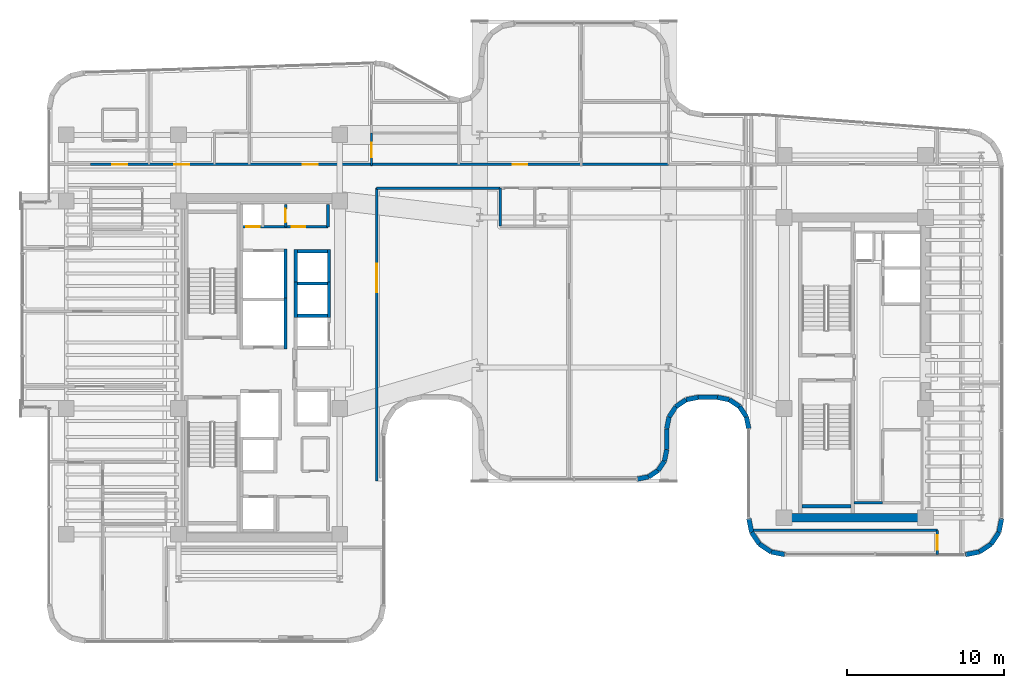
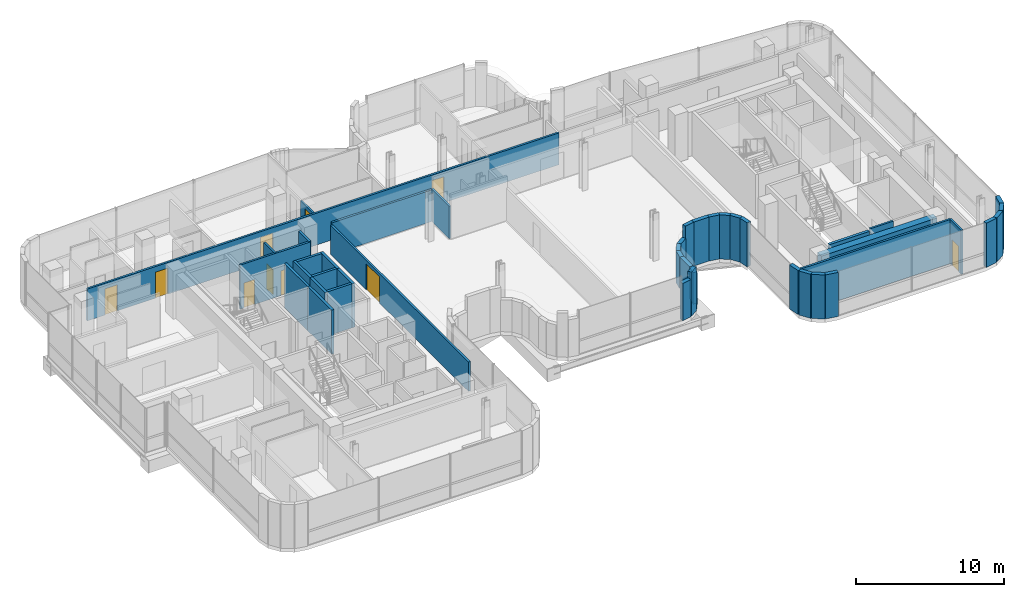
# One storey, part 28 of 38: 44 walls, 10 doors, 10 openings.
"""IFC4 building model written with IfcOpenShell, lengths in metres."""

import ifcopenshell
import ifcopenshell.guid

model = None  # the IFC model being written
_history = None  # IfcOwnerHistory: only IFC2X3 demands one
_inside = {}  # id of a spatial element -> (the spatial element, [elements in it])
_under = {}  # id of a project, library or spatial element -> (it, [spatial elements below it])
_declared = {}  # id of a project -> (the project, [libraries it declares])
_typed = {}  # id of a type object -> (the type object, [elements of that type])
_made_of = {}  # id of a material, layer set ... -> (it, [elements and type objects made of it])


def new_model(schema):
    """Start an empty IFC model of exactly this schema.

    Asked for "IFC4X3", IfcOpenShell would pick the latest addendum, in which some entities
    have other attributes; the version numbers below select the first issue.
    IFC2X3 requires an IfcOwnerHistory on every rooted entity: one is made here for all.
    """
    global model, _history
    if schema == "IFC4X3":
        model = ifcopenshell.file(schema_version=(4, 3, 0, 0))
    else:
        model = ifcopenshell.file(schema=schema)
    _inside.clear()
    _under.clear()
    _declared.clear()
    _typed.clear()
    _made_of.clear()
    _history = None
    if model.schema == "IFC2X3":
        org = make("IfcOrganization", Name="unknown")
        user = make(
            "IfcPersonAndOrganization",
            ThePerson=make("IfcPerson", FamilyName="unknown"),
            TheOrganization=org,
        )
        app = make(
            "IfcApplication",
            ApplicationDeveloper=org,
            Version="unknown",
            ApplicationFullName="unknown",
            ApplicationIdentifier="unknown",
        )
        _history = make(
            "IfcOwnerHistory",
            OwningUser=user,
            OwningApplication=app,
            ChangeAction="ADDED",
            CreationDate=0,
        )
    return model


def make(cls, **values):
    """One entity of the class cls with the attributes given. An attribute that is None is left unset."""
    return model.create_entity(
        cls, **{name: value for name, value in values.items() if value is not None}
    )


def rooted(cls, **values):
    """An entity with a GlobalId (a new one), such as an element, a storey or a relation."""
    return make(cls, GlobalId=ifcopenshell.guid.new(), OwnerHistory=_history, **values)


def si_unit(unit_type, name, prefix=None):
    """IfcSIUnit, for example si_unit("LENGTHUNIT", "METRE", prefix="MILLI")."""
    return make("IfcSIUnit", UnitType=unit_type, Prefix=prefix, Name=name)


def assignment(units):
    """IfcUnitAssignment: the units of a project."""
    return None if units is None else make("IfcUnitAssignment", Units=units)


def point(xyz):
    """IfcCartesianPoint."""
    return None if xyz is None else make("IfcCartesianPoint", Coordinates=xyz)


def direction(xyz):
    """IfcDirection."""
    return None if xyz is None else make("IfcDirection", DirectionRatios=xyz)


def frame(location, z_axis=None, x_axis=None):
    """IfcAxis2Placement3D, a coordinate frame: its origin and axes. An axis left out is left unset."""
    return make(
        "IfcAxis2Placement3D",
        Location=point(location),
        Axis=direction(z_axis),
        RefDirection=direction(x_axis),
    )


def frame_2d(location, x_axis=None):
    """IfcAxis2Placement2D, a coordinate frame in the plane: its origin and x axis."""
    return make(
        "IfcAxis2Placement2D", Location=point(location), RefDirection=direction(x_axis)
    )


def origin():
    """The frame at (0, 0, 0) with its axes left unset."""
    return frame((0.0, 0.0, 0.0))


def place(relative_to, where):
    """IfcLocalPlacement: puts the frame where relative to a parent placement (None: the world)."""
    return make(
        "IfcLocalPlacement", PlacementRelTo=relative_to, RelativePlacement=where
    )


def context(
    kind, dimensions, precision=None, world=None, true_north=None, identifier=None
):
    """IfcGeometricRepresentationContext, for example the 3D "Model" context."""
    return make(
        "IfcGeometricRepresentationContext",
        ContextIdentifier=identifier,
        ContextType=kind,
        CoordinateSpaceDimension=dimensions,
        Precision=precision,
        WorldCoordinateSystem=world,
        TrueNorth=true_north,
    )


def subcontext(parent, identifier, kind, view, scale=None):
    """IfcGeometricRepresentationSubContext, for example "Body" below "Model"."""
    return make(
        "IfcGeometricRepresentationSubContext",
        ContextIdentifier=identifier,
        ContextType=kind,
        ParentContext=parent,
        TargetScale=scale,
        TargetView=view,
    )


def project(units=None, contexts=None):
    """IfcProject with its units and contexts."""
    return rooted(
        "IfcProject",
        Name="project",
        RepresentationContexts=contexts,
        UnitsInContext=assignment(units),
    )


def spatial(cls, under=None, at=None, **own):
    """A site, building, storey or space (cls), placed at a placement, below another one or the project."""
    s = rooted(cls, ObjectPlacement=at, **own)
    if under is not None:
        _under.setdefault(under.id(), (under, []))[1].append(s)
    return s


def profile(cls, at=None, kind="AREA", **sizes):
    """A parametric profile (cls). Its sizes go by their IFC names, for example OverallWidth=200.0."""
    return make(cls, ProfileType=kind, Position=at, **sizes)


def rectangle(**sizes):
    """IfcRectangleProfileDef."""
    return profile("IfcRectangleProfileDef", **sizes)


def extrude(swept, where, along, depth):
    """IfcExtrudedAreaSolid: the profile swept, set in the frame where, extruded along a direction by depth."""
    return make(
        "IfcExtrudedAreaSolid",
        SweptArea=swept,
        Position=where,
        ExtrudedDirection=direction(along),
        Depth=depth,
    )


def shape(context_of_items, identifier, shape_type, items):
    """IfcShapeRepresentation: the items that make up one representation, for example the "Body"."""
    return make(
        "IfcShapeRepresentation",
        ContextOfItems=context_of_items,
        RepresentationIdentifier=identifier,
        RepresentationType=shape_type,
        Items=items,
    )


def material(Name=None, Category=None):
    """IfcMaterial."""
    return make("IfcMaterial", Name=Name, Category=Category)


def layer(
    of_material, thickness, ventilated=None, Name=None, Category=None, Priority=None
):
    """IfcMaterialLayer: one layer of a wall or slab, of a material (None: an air gap)."""
    return make(
        "IfcMaterialLayer",
        Material=of_material,
        LayerThickness=thickness,
        IsVentilated=ventilated,
        Name=Name,
        Category=Category,
        Priority=Priority,
    )


def layer_set(layers, Name=None):
    """IfcMaterialLayerSet."""
    return make("IfcMaterialLayerSet", MaterialLayers=layers, LayerSetName=Name)


def made_of(thing, what):
    """Note that an element or type object is made of a material, layer set ...; save() writes the relation."""
    if what is not None:
        _made_of.setdefault(what.id(), (what, []))[1].append(thing)
    return thing


def type_object(cls, material=None, **own):
    """A type object (cls), such as IfcWallType, which elements share."""
    return made_of(rooted(cls, **own), material)


def element(
    cls,
    number,
    at=None,
    inside=None,
    cuts=None,
    type_object=None,
    material=None,
    context=None,
    identifier="Body",
    shape_type=None,
    held_by="IfcProductDefinitionShape",
    body=None,
    shapes=None,
    **own,
):
    """One element of the class cls, such as IfcWall. Its Tag is "e" and its number.

    at: its placement. inside: the storey or other place that contains it. cuts: it is an
    opening in that element (IfcRelVoidsElement). A single representation is given by context,
    identifier, shape_type and body (its items); several are given by shapes. held_by: the class
    of the entity that holds the representations. save() writes the other relations.
    """
    e = rooted(cls, Tag="e%d" % number, ObjectPlacement=at, **own)
    if body is not None:
        shapes = [shape(context, identifier, shape_type, body)]
    if shapes is not None:
        e.Representation = make(held_by, Representations=shapes)
    if inside is not None:
        _inside.setdefault(inside.id(), (inside, []))[1].append(e)
    if cuts is not None:
        rooted(
            "IfcRelVoidsElement", RelatingBuildingElement=cuts, RelatedOpeningElement=e
        )
    if type_object is not None:
        _typed.setdefault(type_object.id(), (type_object, []))[1].append(e)
    return made_of(e, material)


def fill(opening, filler):
    """IfcRelFillsElement: the door or window that sits in an opening."""
    return rooted(
        "IfcRelFillsElement",
        RelatingOpeningElement=opening,
        RelatedBuildingElement=filler,
    )


def aggregate(whole, parts):
    """IfcRelAggregates: a whole, such as a stair, and the parts it consists of."""
    return rooted("IfcRelAggregates", RelatingObject=whole, RelatedObjects=parts)


def save(model, path):
    """Write the relations noted so far, then the file.

    IfcRelAggregates (storeys below a building ...), IfcRelContainedInSpatialStructure (elements
    in a storey), IfcRelDefinesByType, IfcRelAssociatesMaterial and IfcRelDeclares: one each for
    every whole, place, type object, material and project.
    """
    for whole, parts in _under.values():
        aggregate(whole, parts)
    for where, things in _inside.values():
        rooted(
            "IfcRelContainedInSpatialStructure",
            RelatedElements=things,
            RelatingStructure=where,
        )
    for kind, things in _typed.values():
        rooted("IfcRelDefinesByType", RelatedObjects=things, RelatingType=kind)
    for what, things in _made_of.values():
        rooted("IfcRelAssociatesMaterial", RelatedObjects=things, RelatingMaterial=what)
    for by, libraries in _declared.values():
        rooted("IfcRelDeclares", RelatingContext=by, RelatedDefinitions=libraries)
    model.write(path)


model = new_model("IFC4")

# Units and contexts
model_context = context("Model", 3, precision=1e-05, world=origin(), true_north=direction((0.0, 1.0)))
body_context = subcontext(model_context, "Body", "Model", "MODEL_VIEW")
ifc_project = project(units=[si_unit("LENGTHUNIT", "METRE"), si_unit("AREAUNIT", "SQUARE_METRE"), si_unit("VOLUMEUNIT", "CUBIC_METRE"), si_unit("PLANEANGLEUNIT", "RADIAN"), si_unit("MASSUNIT", "GRAM", prefix="KILO")], contexts=[model_context])

# Site, building, storey
site_placement = place(None, origin())
site = spatial("IfcSite", under=ifc_project, at=site_placement, CompositionType="ELEMENT")
building_placement = place(site_placement, origin())
building = spatial("IfcBuilding", under=site, at=building_placement, Name="Valdorenza Pilgrim Sanctuary Tower", CompositionType="ELEMENT")
storey_placement = place(building_placement, frame((0.0, 0.0, 180.5)))
storey = spatial("IfcBuildingStorey", under=building, at=storey_placement, Name="L46", CompositionType="ELEMENT", Elevation=180.5)

# Wall, openings, doors
ifc_material_1 = material(Name="Acoustic twin-stud gypsum partition", Category="gypsum")
ifc_layer_1 = layer(ifc_material_1, 0.159912109375, Name="Acoustic twin-stud gypsum partition")
ifc_layer_set_1 = layer_set([ifc_layer_1], Name="Acoustic twin-stud gypsum partition")
wall_type_1 = type_object("IfcWallType", Name="WAL-COR-160", PredefinedType="PARTITIONING", material=ifc_layer_set_1)
wall_1_placement = place(storey_placement, frame((-18.64990234375, 8.949951171875, 0.0), z_axis=(0.0, 0.0, 1.0), x_axis=(1.0, 0.0, 0.0)))
wall_1 = element("IfcWall", 1, at=wall_1_placement, inside=storey, type_object=wall_type_1, Name="L46 Core A North Service South Wall", PredefinedType="PARTITIONING", context=body_context, shape_type="SweptSolid", body=[
    extrude(rectangle(XDim=5.5, YDim=0.159912109375, at=frame_2d((2.75, 0.0))), origin(), (0.0, 0.0, 1.0), 3.6298828125),
])
opening_1_placement = place(wall_1_placement, frame((0.300048828125, 0.0, 0.0)))
opening_1 = element("IfcOpeningElement", 2, at=opening_1_placement, cuts=wall_1, Name="Opening DR-RS1", PredefinedType="OPENING", context=body_context, shape_type="SweptSolid", body=[
    extrude(rectangle(XDim=0.85009765625, YDim=2.050048828125, at=frame_2d((0.425048828125, 1.02490234375))), frame((0.0, 0.0947265625, 0.0), z_axis=(0.0, -1.0, 0.0), x_axis=(1.0, 0.0, 0.0)), (0.0, 0.0, 1.0), 0.189697265625),
])
opening_2_placement = place(wall_1_placement, frame((3.199951171875, 0.0, 0.0)))
opening_2 = element("IfcOpeningElement", 3, at=opening_2_placement, cuts=wall_1, Name="Opening DR-RS1", PredefinedType="OPENING", context=body_context, shape_type="SweptSolid", body=[
    extrude(rectangle(XDim=0.85009765625, YDim=2.050048828125, at=frame_2d((0.425048828125, 1.02490234375))), frame((0.0, 0.0947265625, 0.0), z_axis=(0.0, -1.0, 0.0), x_axis=(1.0, 0.0, 0.0)), (0.0, 0.0, 1.0), 0.189697265625),
])
ifc_material_2 = material(Name="Painted galvanized steel", Category="steel")
door_type_1 = type_object("IfcDoorType", Name="DR-RSR-850", OperationType="NOTDEFINED", PredefinedType="DOOR", material=ifc_material_2)
door_1_placement = place(opening_1_placement, origin())
door_1 = element("IfcDoor", 4, at=door_1_placement, inside=storey, type_object=door_type_1, Name="L46 Core Electrical and Telecom Riser Door", OperationType="SINGLE_SWING_LEFT", OverallHeight=2.050048828125, OverallWidth=0.85009765625, PredefinedType="DOOR", context=body_context, shape_type="SweptSolid", body=[
    extrude(rectangle(XDim=0.85009765625, YDim=2.050048828125, at=frame_2d((0.425048828125, 1.02490234375))), frame((0.0, 0.02490234375, 0.0), z_axis=(0.0, -1.0, 0.0), x_axis=(1.0, 0.0, 0.0)), (0.0, 0.0, 1.0), 0.050048828125),
])
fill(opening_1, door_1)
door_2_placement = place(opening_2_placement, origin())
door_2 = element("IfcDoor", 5, at=door_2_placement, inside=storey, type_object=door_type_1, Name="L46 Housekeeping and Clean Linen Room Door", OperationType="SINGLE_SWING_RIGHT", OverallHeight=2.050048828125, OverallWidth=0.85009765625, PredefinedType="DOOR", context=body_context, shape_type="SweptSolid", body=[
    extrude(rectangle(XDim=0.85009765625, YDim=2.050048828125, at=frame_2d((0.425048828125, 1.02490234375))), frame((0.0, 0.02490234375, 0.0), z_axis=(0.0, -1.0, 0.0), x_axis=(1.0, 0.0, 0.0)), (0.0, 0.0, 1.0), 0.050048828125),
])
fill(opening_2, door_2)

# Wall
wall_2_placement = place(storey_placement, frame((-13.14990234375, 8.949951171875, 0.0), z_axis=(0.0, 0.0, 1.0), x_axis=(0.0, 1.0, 0.0)))
element("IfcWall", 6, at=wall_2_placement, inside=storey, type_object=wall_type_1, Name="L46 Core A North Service East Wall", PredefinedType="PARTITIONING", context=body_context, shape_type="SweptSolid", body=[
    extrude(rectangle(XDim=1.429931640625, YDim=0.159912109375, at=frame_2d((0.71484375, 0.0))), origin(), (0.0, 0.0, 1.0), 3.6298828125),
])

# Wall, opening, door
wall_3_placement = place(storey_placement, frame((-15.85009765625, 8.949951171875, 0.0), z_axis=(0.0, 0.0, 1.0), x_axis=(0.0, 1.0, 0.0)))
wall_3 = element("IfcWall", 7, at=wall_3_placement, inside=storey, type_object=wall_type_1, Name="L46 Core A Split C", PredefinedType="PARTITIONING", context=body_context, shape_type="SweptSolid", body=[
    extrude(rectangle(XDim=1.429931640625, YDim=0.159912109375, at=frame_2d((0.71484375, 0.0))), origin(), (0.0, 0.0, 1.0), 3.6298828125),
])
opening_3_placement = place(wall_3_placement, frame((0.2900390625, 0.0, 0.0)))
opening_3 = element("IfcOpeningElement", 8, at=opening_3_placement, cuts=wall_3, Name="Opening DR-RS1", PredefinedType="OPENING", context=body_context, shape_type="SweptSolid", body=[
    extrude(rectangle(XDim=0.85009765625, YDim=2.050048828125, at=frame_2d((0.425048828125, 1.02490234375))), frame((0.0, 0.0947265625, 0.0), z_axis=(0.0, -1.0, 0.0), x_axis=(1.0, 0.0, 0.0)), (0.0, 0.0, 1.0), 0.189697265625),
])
door_3_placement = place(opening_3_placement, origin())
door_3 = element("IfcDoor", 9, at=door_3_placement, inside=storey, type_object=door_type_1, Name="L46 Clean Linen Supply Store Door", OperationType="SINGLE_SWING_LEFT", OverallHeight=2.050048828125, OverallWidth=0.85009765625, PredefinedType="DOOR", context=body_context, shape_type="SweptSolid", body=[
    extrude(rectangle(XDim=0.85009765625, YDim=2.050048828125, at=frame_2d((0.425048828125, 1.02490234375))), frame((0.0, 0.02490234375, 0.0), z_axis=(0.0, -1.0, 0.0), x_axis=(1.0, 0.0, 0.0)), (0.0, 0.0, 1.0), 0.050048828125),
])
fill(opening_3, door_3)

# Wall
wall_4_placement = place(storey_placement, frame((20.300048828125, -8.60009765625, 0.0), z_axis=(0.0, 0.0, 1.0), x_axis=(1.0, 0.0, 0.0)))
element("IfcWall", 10, at=wall_4_placement, inside=storey, type_object=wall_type_1, Name="L46 Core B Lift Hall South End Wall", PredefinedType="PARTITIONING", context=body_context, shape_type="SweptSolid", body=[
    extrude(rectangle(XDim=1.820068359375, YDim=0.159912109375, at=frame_2d((0.91015625, 0.0))), origin(), (0.0, 0.0, 1.0), 3.6298828125),
])

# Wall, openings, doors
wall_5_placement = place(storey_placement, frame((-28.25, 12.919921875, 0.0), z_axis=(0.0, 0.0, 1.0), x_axis=(1.0, 0.0, 0.0)))
wall_5 = element("IfcWall", 11, at=wall_5_placement, inside=storey, type_object=wall_type_1, Name="L46 North Corridor Wall", PredefinedType="PARTITIONING", context=body_context, shape_type="SweptSolid", body=[
    extrude(rectangle(XDim=36.75, YDim=0.159912109375, at=frame_2d((18.375, 0.0))), origin(), (0.0, 0.0, 1.0), 2.614990234375),
])
opening_4_placement = place(wall_5_placement, frame((1.385986328125, 0.0, 0.0)))
opening_4 = element("IfcOpeningElement", 12, at=opening_4_placement, cuts=wall_5, Name="Opening DR-UN1", PredefinedType="OPENING", context=body_context, shape_type="SweptSolid", body=[
    extrude(rectangle(XDim=0.949951171875, YDim=2.14990234375, at=frame_2d((0.47509765625, 1.074951171875))), frame((0.0, 0.0947265625, 0.0), z_axis=(0.0, -1.0, 0.0), x_axis=(1.0, 0.0, 0.0)), (0.0, 0.0, 1.0), 0.189697265625),
])
opening_5_placement = place(wall_5_placement, frame((5.326904296875, 0.0, 0.0)))
opening_5 = element("IfcOpeningElement", 13, at=opening_5_placement, cuts=wall_5, Name="Opening DR-UN1", PredefinedType="OPENING", context=body_context, shape_type="SweptSolid", body=[
    extrude(rectangle(XDim=0.949951171875, YDim=2.14990234375, at=frame_2d((0.47509765625, 1.074951171875))), frame((0.0, 0.0947265625, 0.0), z_axis=(0.0, -1.0, 0.0), x_axis=(1.0, 0.0, 0.0)), (0.0, 0.0, 1.0), 0.189697265625),
])
opening_6_placement = place(wall_5_placement, frame((13.5, 0.0, 0.0)))
opening_6 = element("IfcOpeningElement", 14, at=opening_6_placement, cuts=wall_5, Name="Opening DR-UN1", PredefinedType="OPENING", context=body_context, shape_type="SweptSolid", body=[
    extrude(rectangle(XDim=0.949951171875, YDim=2.14990234375, at=frame_2d((0.47509765625, 1.074951171875))), frame((0.0, 0.0947265625, 0.0), z_axis=(0.0, -1.0, 0.0), x_axis=(1.0, 0.0, 0.0)), (0.0, 0.0, 1.0), 0.189697265625),
])
opening_7_placement = place(wall_5_placement, frame((26.833984375, 0.0, 0.0)))
opening_7 = element("IfcOpeningElement", 15, at=opening_7_placement, cuts=wall_5, Name="Opening DR-UN1", PredefinedType="OPENING", context=body_context, shape_type="SweptSolid", body=[
    extrude(rectangle(XDim=0.949951171875, YDim=2.14990234375, at=frame_2d((0.47509765625, 1.074951171875))), frame((0.0, 0.0947265625, 0.0), z_axis=(0.0, -1.0, 0.0), x_axis=(1.0, 0.0, 0.0)), (0.0, 0.0, 1.0), 0.189697265625),
])
ifc_material_3 = material(Name="Solid-core European oak timber", Category="wood")
door_type_2 = type_object("IfcDoorType", Name="DR-UNIT-950", OperationType="NOTDEFINED", PredefinedType="DOOR", material=ifc_material_3)
door_4_placement = place(opening_4_placement, frame((0.949951171875, 0.0, 0.0), z_axis=(0.0, 0.0, 1.0), x_axis=(-1.0, 0.0, 0.0)))
door_4 = element("IfcDoor", 16, at=door_4_placement, inside=storey, type_object=door_type_2, Name="L46 North Family Guest Room L46-N1A Entrance Door", OperationType="SINGLE_SWING_LEFT", OverallHeight=2.14990234375, OverallWidth=0.949951171875, PredefinedType="DOOR", context=body_context, shape_type="SweptSolid", body=[
    extrude(rectangle(XDim=0.949951171875, YDim=2.14990234375, at=frame_2d((0.47509765625, 1.074951171875))), frame((0.0, 0.02490234375, 0.0), z_axis=(0.0, -1.0, 0.0), x_axis=(1.0, 0.0, 0.0)), (0.0, 0.0, 1.0), 0.050048828125),
])
fill(opening_4, door_4)
door_5_placement = place(opening_5_placement, frame((0.949951171875, 0.0, 0.0), z_axis=(0.0, 0.0, 1.0), x_axis=(-1.0, 0.0, 0.0)))
door_5 = element("IfcDoor", 17, at=door_5_placement, inside=storey, type_object=door_type_2, Name="L46 North Family Guest Room L46-N1B Entrance Door", OperationType="SINGLE_SWING_LEFT", OverallHeight=2.14990234375, OverallWidth=0.949951171875, PredefinedType="DOOR", context=body_context, shape_type="SweptSolid", body=[
    extrude(rectangle(XDim=0.949951171875, YDim=2.14990234375, at=frame_2d((0.47509765625, 1.074951171875))), frame((0.0, 0.02490234375, 0.0), z_axis=(0.0, -1.0, 0.0), x_axis=(1.0, 0.0, 0.0)), (0.0, 0.0, 1.0), 0.050048828125),
])
fill(opening_5, door_5)
door_6_placement = place(opening_6_placement, frame((0.949951171875, 0.0, 0.0), z_axis=(0.0, 0.0, 1.0), x_axis=(-1.0, 0.0, 0.0)))
door_6 = element("IfcDoor", 18, at=door_6_placement, inside=storey, type_object=door_type_2, Name="L46 North Family Flat L46-N2 Entrance Door", OperationType="SINGLE_SWING_LEFT", OverallHeight=2.14990234375, OverallWidth=0.949951171875, PredefinedType="DOOR", context=body_context, shape_type="SweptSolid", body=[
    extrude(rectangle(XDim=0.949951171875, YDim=2.14990234375, at=frame_2d((0.47509765625, 1.074951171875))), frame((0.0, 0.02490234375, 0.0), z_axis=(0.0, -1.0, 0.0), x_axis=(1.0, 0.0, 0.0)), (0.0, 0.0, 1.0), 0.050048828125),
])
fill(opening_6, door_6)
door_7_placement = place(opening_7_placement, frame((0.949951171875, 0.0, 0.0), z_axis=(0.0, 0.0, 1.0), x_axis=(-1.0, 0.0, 0.0)))
door_7 = element("IfcDoor", 19, at=door_7_placement, inside=storey, type_object=door_type_2, Name="L46 North Family Flat L46-N3 Entrance Door", OperationType="SINGLE_SWING_LEFT", OverallHeight=2.14990234375, OverallWidth=0.949951171875, PredefinedType="DOOR", context=body_context, shape_type="SweptSolid", body=[
    extrude(rectangle(XDim=0.949951171875, YDim=2.14990234375, at=frame_2d((0.47509765625, 1.074951171875))), frame((0.0, 0.02490234375, 0.0), z_axis=(0.0, -1.0, 0.0), x_axis=(1.0, 0.0, 0.0)), (0.0, 0.0, 1.0), 0.050048828125),
])
fill(opening_7, door_7)

# Wall, opening, door
wall_6_placement = place(storey_placement, frame((-10.050048828125, -7.199951171875, 0.0), z_axis=(0.0, 0.0, 1.0), x_axis=(0.0, 1.0, 0.0)))
wall_6 = element("IfcWall", 20, at=wall_6_placement, inside=storey, type_object=wall_type_1, Name="L46 Prayer Bar West Wall", PredefinedType="PARTITIONING", context=body_context, shape_type="SweptSolid", body=[
    extrude(rectangle(XDim=18.619873046875, YDim=0.159912109375, at=frame_2d((9.31005859375, 0.0))), origin(), (0.0, 0.0, 1.0), 2.4150390625),
])
opening_8_placement = place(wall_6_placement, frame((12.0, 0.0, 0.0)))
opening_8 = element("IfcOpeningElement", 21, at=opening_8_placement, cuts=wall_6, Name="Opening DR-HL1", PredefinedType="OPENING", context=body_context, shape_type="SweptSolid", body=[
    extrude(rectangle(XDim=1.800048828125, YDim=2.14990234375, at=frame_2d((0.89990234375, 1.074951171875))), frame((0.0, 0.0947265625, 0.0), z_axis=(0.0, -1.0, 0.0), x_axis=(1.0, 0.0, 0.0)), (0.0, 0.0, 1.0), 0.189697265625),
])
ifc_material_4 = material(Name="Acoustic oak and vision-glass double door", Category="glass")
door_type_3 = type_object("IfcDoorType", Name="DR-HALL-1800", OperationType="NOTDEFINED", PredefinedType="DOOR", material=ifc_material_4)
door_8_placement = place(opening_8_placement, frame((1.800048828125, 0.0, 0.0), z_axis=(0.0, 0.0, 1.0), x_axis=(-1.0, 0.0, 0.0)))
door_8 = element("IfcDoor", 22, at=door_8_placement, inside=storey, type_object=door_type_3, Name="L46 Congregational Prayer Hall West Door", OperationType="DOUBLE_DOOR_SINGLE_SWING", OverallHeight=2.14990234375, OverallWidth=1.800048828125, PredefinedType="DOOR", context=body_context, shape_type="SweptSolid", body=[
    extrude(rectangle(XDim=1.800048828125, YDim=2.14990234375, at=frame_2d((0.89990234375, 1.074951171875))), frame((0.0, 0.02490234375, 0.0), z_axis=(0.0, -1.0, 0.0), x_axis=(1.0, 0.0, 0.0)), (0.0, 0.0, 1.0), 0.050048828125),
])
fill(opening_8, door_8)

# Walls
wall_7_placement = place(storey_placement, frame((-10.050048828125, 11.419921875, 0.0), z_axis=(0.0, 0.0, 1.0), x_axis=(1.0, 0.0, 0.0)))
element("IfcWall", 23, at=wall_7_placement, inside=storey, type_object=wall_type_1, Name="L46 Prayer Hall North-West Corridor Wall", PredefinedType="PARTITIONING", context=body_context, shape_type="SweptSolid", body=[
    extrude(rectangle(XDim=7.85009765625, YDim=0.159912109375, at=frame_2d((3.925048828125, 0.0))), origin(), (0.0, 0.0, 1.0), 2.614990234375),
])
wall_8_placement = place(storey_placement, frame((-2.199951171875, 9.0, 0.0), z_axis=(0.0, 0.0, 1.0), x_axis=(0.0, 1.0, 0.0)))
element("IfcWall", 24, at=wall_8_placement, inside=storey, type_object=wall_type_1, Name="L46 Washroom West Wall", PredefinedType="PARTITIONING", context=body_context, shape_type="SweptSolid", body=[
    extrude(rectangle(XDim=2.419921875, YDim=0.159912109375, at=frame_2d((1.2099609375, 0.0))), origin(), (0.0, 0.0, 1.0), 2.6650390625),
])

# Wall, opening, door
wall_9_placement = place(storey_placement, frame((25.60009765625, -11.889892578125, 0.0), z_axis=(0.0, 0.0, 1.0), x_axis=(0.0, 1.0, 0.0)))
wall_9 = element("IfcWall", 25, at=wall_9_placement, inside=storey, type_object=wall_type_1, Name="L46 Wing B South-East Wall", PredefinedType="PARTITIONING", context=body_context, shape_type="SweptSolid", body=[
    extrude(rectangle(XDim=1.539794921875, YDim=0.159912109375, at=frame_2d((0.77001953125, 0.0))), origin(), (0.0, 0.0, 1.0), 3.6298828125),
])
opening_9_placement = place(wall_9_placement, frame((0.320068359375, 0.0, 0.0)))
opening_9 = element("IfcOpeningElement", 26, at=opening_9_placement, cuts=wall_9, Name="Opening DR-RM1", PredefinedType="OPENING", context=body_context, shape_type="SweptSolid", body=[
    extrude(rectangle(XDim=0.89990234375, YDim=2.10009765625, at=frame_2d((0.449951171875, 1.050048828125))), frame((0.0, 0.0947265625, 0.0), z_axis=(0.0, -1.0, 0.0), x_axis=(1.0, 0.0, 0.0)), (0.0, 0.0, 1.0), 0.189697265625),
])
door_type_4 = type_object("IfcDoorType", Name="DR-ROOM-900", OperationType="NOTDEFINED", PredefinedType="DOOR", material=ifc_material_3)
door_9_placement = place(opening_9_placement, origin())
door_9 = element("IfcDoor", 27, at=door_9_placement, inside=storey, type_object=door_type_4, Name="L46 Sacred Manuscript Archive L46-BS Door", OperationType="SINGLE_SWING_RIGHT", OverallHeight=2.10009765625, OverallWidth=0.89990234375, PredefinedType="DOOR", context=body_context, shape_type="SweptSolid", body=[
    extrude(rectangle(XDim=0.89990234375, YDim=2.10009765625, at=frame_2d((0.449951171875, 1.050048828125))), frame((0.0, 0.02490234375, 0.0), z_axis=(0.0, -1.0, 0.0), x_axis=(1.0, 0.0, 0.0)), (0.0, 0.0, 1.0), 0.050048828125),
])
fill(opening_9, door_9)

# Walls
wall_10_placement = place(storey_placement, frame((13.888916015625, -10.35009765625, 0.0), z_axis=(0.0, 0.0, 1.0), x_axis=(1.0, 0.0, 0.0)))
element("IfcWall", 28, at=wall_10_placement, inside=storey, type_object=wall_type_1, Name="L46 Wing B South Closure", PredefinedType="PARTITIONING", context=body_context, shape_type="SweptSolid", body=[
    extrude(rectangle(XDim=11.711181640625, YDim=0.159912109375, at=frame_2d((5.85546875, 0.0))), origin(), (0.0, 0.0, 1.0), 3.6298828125),
])
ifc_material_5 = material(Name="Concrete C50/60", Category="concrete")
ifc_layer_2 = layer(ifc_material_5, 0.550048828125, Name="Concrete C50/60")
ifc_layer_set_2 = layer_set([ifc_layer_2], Name="Concrete C50/60")
wall_type_2 = type_object("IfcWallType", Name="WAL-COR-550", PredefinedType="SHEAR", material=ifc_layer_set_2)
wall_11_placement = place(storey_placement, frame((15.85009765625, -9.550048828125, 0.0), z_axis=(0.0, 0.0, 1.0), x_axis=(1.0, 0.0, 0.0)))
element("IfcWall", 29, at=wall_11_placement, inside=storey, type_object=wall_type_2, Name="L46 Split Core B Shear Wall S", PredefinedType="SHEAR", context=body_context, shape_type="SweptSolid", body=[
    extrude(rectangle(XDim=9.0, YDim=0.550048828125, at=frame_2d((4.5, 0.0))), origin(), (0.0, 0.0, 1.0), 3.6298828125),
])
ifc_material_6 = material(Name="Honed travertine limestone", Category="masonry")
ifc_layer_3 = layer(ifc_material_6, 0.300048828125, Name="Honed travertine limestone")
ifc_layer_set_3 = layer_set([ifc_layer_3], Name="Honed travertine limestone")
wall_type_3 = type_object("IfcWallType", Name="WAL-EXT-300", PredefinedType="SOLIDWALL", material=ifc_layer_set_3)
wall_12_placement = place(storey_placement, frame((29.68994140625, -9.589111328125, 0.0), z_axis=(0.0, 0.0, 1.0), x_axis=(-0.195025152871, -0.980798241101, 0.0)))
element("IfcWall", 30, at=wall_12_placement, inside=storey, type_object=wall_type_3, Name="L46 Rounded Wind-Corner Stone Pier 38", PredefinedType="SOLIDWALL", context=body_context, shape_type="SweptSolid", body=[
    extrude(rectangle(XDim=0.90380859375, YDim=0.300048828125, at=frame_2d((0.451904296875, 0.0))), origin(), (0.0, 0.0, 1.0), 3.6298828125),
])
wall_13_placement = place(storey_placement, frame((29.513671875, -10.4755859375, 0.0), z_axis=(0.0, 0.0, 1.0), x_axis=(-0.555520488502, -0.831502848374, 0.0)))
element("IfcWall", 31, at=wall_13_placement, inside=storey, type_object=wall_type_3, Name="L46 Rounded Wind-Corner Stone Pier 39", PredefinedType="SOLIDWALL", context=body_context, shape_type="SweptSolid", body=[
    extrude(rectangle(XDim=0.892578125, YDim=0.300048828125, at=frame_2d((0.4462890625, 0.0))), origin(), (0.0, 0.0, 1.0), 3.6298828125),
])
wall_14_placement = place(storey_placement, frame((29.017822265625, -11.2177734375, 0.0), z_axis=(0.0, 0.0, 1.0), x_axis=(-0.83158722889, -0.555394167009, 0.0)))
element("IfcWall", 32, at=wall_14_placement, inside=storey, type_object=wall_type_3, Name="L46 Rounded Wind-Corner Stone Pier 40", PredefinedType="SOLIDWALL", context=body_context, shape_type="SweptSolid", body=[
    extrude(rectangle(XDim=0.892822265625, YDim=0.300048828125, at=frame_2d((0.4462890625, 0.0))), origin(), (0.0, 0.0, 1.0), 3.6298828125),
])
wall_15_placement = place(storey_placement, frame((28.275390625, -11.713623046875, 0.0), z_axis=(0.0, 0.0, 1.0), x_axis=(-0.980787963133, -0.19507683454, 0.0)))
element("IfcWall", 33, at=wall_15_placement, inside=storey, type_object=wall_type_3, Name="L46 Rounded Wind-Corner Stone Pier 41", PredefinedType="SOLIDWALL", context=body_context, shape_type="SweptSolid", body=[
    extrude(rectangle(XDim=0.903564453125, YDim=0.300048828125, at=frame_2d((0.45166015625, 0.0))), origin(), (0.0, 0.0, 1.0), 3.6298828125),
])
wall_16_placement = place(storey_placement, frame((15.910888671875, -11.889892578125, 0.0), z_axis=(0.0, 0.0, 1.0), x_axis=(-0.980798241101, 0.195025152871, 0.0)))
element("IfcWall", 34, at=wall_16_placement, inside=storey, type_object=wall_type_3, Name="L46 Rounded Wind-Corner Stone Pier 43", PredefinedType="SOLIDWALL", context=body_context, shape_type="SweptSolid", body=[
    extrude(rectangle(XDim=0.90380859375, YDim=0.300048828125, at=frame_2d((0.451904296875, 0.0))), origin(), (0.0, 0.0, 1.0), 3.6298828125),
])
for number, where, z_axis, x_axis, name in (
    (35, (15.0244140625, -11.713623046875, 0.0), (0.0, 0.0, 1.0), (-0.831502848374, 0.555520488502, 0.0), "L46 Rounded Wind-Corner Stone Pier 44"),
    (36, (14.2822265625, -11.2177734375, 0.0), (0.0, 0.0, 1.0), (-0.555520488502, 0.831502848374, 0.0), "L46 Rounded Wind-Corner Stone Pier 45"),
):
    element("IfcWall", number, at=place(storey_placement, frame(where, z_axis=z_axis, x_axis=x_axis)), inside=storey, type_object=wall_type_3, Name=name, PredefinedType="SOLIDWALL", context=body_context, shape_type="SweptSolid", body=[
        extrude(rectangle(XDim=0.892578125, YDim=0.300048828125, at=frame_2d((0.4462890625, 0.0))), origin(), (0.0, 0.0, 1.0), 3.6298828125),
    ])
wall_17_placement = place(storey_placement, frame((13.786376953125, -10.4755859375, 0.0), z_axis=(0.0, 0.0, 1.0), x_axis=(-0.195025152871, 0.980798241101, 0.0)))
element("IfcWall", 37, at=wall_17_placement, inside=storey, type_object=wall_type_3, Name="L46 Rounded Wind-Corner Stone Pier 46", PredefinedType="SOLIDWALL", context=body_context, shape_type="SweptSolid", body=[
    extrude(rectangle(XDim=0.90380859375, YDim=0.300048828125, at=frame_2d((0.451904296875, 0.0))), origin(), (0.0, 0.0, 1.0), 3.6298828125),
])
wall_18_placement = place(storey_placement, frame((13.610107421875, -3.88916015625, 0.0), z_axis=(0.0, 0.0, 1.0), x_axis=(-0.195206365311, 0.98076219082, 0.0)))
element("IfcWall", 38, at=wall_18_placement, inside=storey, type_object=wall_type_3, Name="L46 Rounded Wind-Corner Stone Pier 48", PredefinedType="SOLIDWALL", context=body_context, shape_type="SweptSolid", body=[
    extrude(rectangle(XDim=0.774169921875, YDim=0.300048828125, at=frame_2d((0.38720703125, 0.0))), origin(), (0.0, 0.0, 1.0), 3.6298828125),
])
for number, where, z_axis, x_axis, name in (
    (39, (13.458984375, -3.1298828125, 0.0), (0.0, 0.0, 1.0), (-0.555776307766, 0.831331880615, 0.0), "L46 Rounded Wind-Corner Stone Pier 49"),
    (40, (13.022705078125, -2.477294921875, 0.0), (0.0, 0.0, 1.0), (-0.831331880615, 0.555776307766, 0.0), "L46 Rounded Wind-Corner Stone Pier 50"),
):
    element("IfcWall", number, at=place(storey_placement, frame(where, z_axis=z_axis, x_axis=x_axis)), inside=storey, type_object=wall_type_3, Name=name, PredefinedType="SOLIDWALL", context=body_context, shape_type="SweptSolid", body=[
        extrude(rectangle(XDim=0.784912109375, YDim=0.300048828125, at=frame_2d((0.392578125, 0.0))), origin(), (0.0, 0.0, 1.0), 3.6298828125),
    ])
wall_19_placement = place(storey_placement, frame((12.3701171875, -2.041015625, 0.0), z_axis=(0.0, 0.0, 1.0), x_axis=(-0.98076219082, 0.195206365311, 0.0)))
element("IfcWall", 41, at=wall_19_placement, inside=storey, type_object=wall_type_3, Name="L46 Rounded Wind-Corner Stone Pier 51", PredefinedType="SOLIDWALL", context=body_context, shape_type="SweptSolid", body=[
    extrude(rectangle(XDim=0.774169921875, YDim=0.300048828125, at=frame_2d((0.38720703125, 0.0))), origin(), (0.0, 0.0, 1.0), 3.6298828125),
])
wall_20_placement = place(storey_placement, frame((11.61083984375, -1.889892578125, 0.0), z_axis=(0.0, 0.0, 1.0), x_axis=(-1.0, 0.0, 0.0)))
element("IfcWall", 42, at=wall_20_placement, inside=storey, type_object=wall_type_3, Name="L46 Rounded Wind-Corner Stone Pier 52", PredefinedType="SOLIDWALL", context=body_context, shape_type="SweptSolid", body=[
    extrude(rectangle(XDim=1.2216796875, YDim=0.300048828125, at=frame_2d((0.61083984375, 0.0))), origin(), (0.0, 0.0, 1.0), 3.6298828125),
])
wall_21_placement = place(storey_placement, frame((10.38916015625, -1.889892578125, 0.0), z_axis=(0.0, 0.0, 1.0), x_axis=(-0.98076219082, -0.195206365311, 0.0)))
element("IfcWall", 43, at=wall_21_placement, inside=storey, type_object=wall_type_3, Name="L46 Rounded Wind-Corner Stone Pier 53", PredefinedType="SOLIDWALL", context=body_context, shape_type="SweptSolid", body=[
    extrude(rectangle(XDim=0.774169921875, YDim=0.300048828125, at=frame_2d((0.38720703125, 0.0))), origin(), (0.0, 0.0, 1.0), 3.6298828125),
])
for number, where, z_axis, x_axis, name in (
    (44, (9.6298828125, -2.041015625, 0.0), (0.0, 0.0, 1.0), (-0.831331880615, -0.555776307766, 0.0), "L46 Rounded Wind-Corner Stone Pier 54"),
    (45, (8.977294921875, -2.477294921875, 0.0), (0.0, 0.0, 1.0), (-0.555776307766, -0.831331880615, 0.0), "L46 Rounded Wind-Corner Stone Pier 55"),
):
    element("IfcWall", number, at=place(storey_placement, frame(where, z_axis=z_axis, x_axis=x_axis)), inside=storey, type_object=wall_type_3, Name=name, PredefinedType="SOLIDWALL", context=body_context, shape_type="SweptSolid", body=[
        extrude(rectangle(XDim=0.784912109375, YDim=0.300048828125, at=frame_2d((0.392578125, 0.0))), origin(), (0.0, 0.0, 1.0), 2.614990234375),
    ])
wall_22_placement = place(storey_placement, frame((8.541015625, -3.1298828125, 0.0), z_axis=(0.0, 0.0, 1.0), x_axis=(-0.195206365311, -0.98076219082, 0.0)))
element("IfcWall", 46, at=wall_22_placement, inside=storey, type_object=wall_type_3, Name="L46 Rounded Wind-Corner Stone Pier 56", PredefinedType="SOLIDWALL", context=body_context, shape_type="SweptSolid", body=[
    extrude(rectangle(XDim=0.774169921875, YDim=0.300048828125, at=frame_2d((0.38720703125, 0.0))), origin(), (0.0, 0.0, 1.0), 2.614990234375),
])
wall_23_placement = place(storey_placement, frame((8.389892578125, -3.88916015625, 0.0), z_axis=(0.0, 0.0, 1.0), x_axis=(0.0, -1.0, 0.0)))
element("IfcWall", 47, at=wall_23_placement, inside=storey, type_object=wall_type_3, Name="L46 Rounded Wind-Corner Stone Pier 57", PredefinedType="SOLIDWALL", context=body_context, shape_type="SweptSolid", body=[
    extrude(rectangle(XDim=1.323974609375, YDim=0.300048828125, at=frame_2d((0.662109375, 0.0))), origin(), (0.0, 0.0, 1.0), 2.614990234375),
])
wall_24_placement = place(storey_placement, frame((8.389892578125, -5.213134765625, 0.0), z_axis=(0.0, 0.0, 1.0), x_axis=(-0.194780446724, -0.980846867546, 0.0)))
element("IfcWall", 48, at=wall_24_placement, inside=storey, type_object=wall_type_3, Name="L46 Rounded Wind-Corner Stone Pier 58", PredefinedType="SOLIDWALL", context=body_context, shape_type="SweptSolid", body=[
    extrude(rectangle(XDim=0.73828125, YDim=0.300048828125, at=frame_2d((0.369140625, 0.0))), origin(), (0.0, 0.0, 1.0), 2.614990234375),
])
wall_25_placement = place(storey_placement, frame((8.24609375, -5.937255859375, 0.0), z_axis=(0.0, 0.0, 1.0), x_axis=(-0.555784030735, -0.83132671747, 0.0)))
element("IfcWall", 49, at=wall_25_placement, inside=storey, type_object=wall_type_3, Name="L46 Rounded Wind-Corner Stone Pier 59", PredefinedType="SOLIDWALL", context=body_context, shape_type="SweptSolid", body=[
    extrude(rectangle(XDim=0.7275390625, YDim=0.300048828125, at=frame_2d((0.36376953125, 0.0))), origin(), (0.0, 0.0, 1.0), 2.614990234375),
])
wall_26_placement = place(storey_placement, frame((7.841796875, -6.5419921875, 0.0), z_axis=(0.0, 0.0, 1.0), x_axis=(-0.831378135196, -0.555707113792, 0.0)))
element("IfcWall", 50, at=wall_26_placement, inside=storey, type_object=wall_type_3, Name="L46 Rounded Wind-Corner Stone Pier 60", PredefinedType="SOLIDWALL", context=body_context, shape_type="SweptSolid", body=[
    extrude(rectangle(XDim=0.72705078125, YDim=0.300048828125, at=frame_2d((0.363525390625, 0.0))), origin(), (0.0, 0.0, 1.0), 3.6298828125),
])
wall_27_placement = place(storey_placement, frame((7.2373046875, -6.946044921875, 0.0), z_axis=(0.0, 0.0, 1.0), x_axis=(-0.980783640462, -0.195098566376, 0.0)))
element("IfcWall", 51, at=wall_27_placement, inside=storey, type_object=wall_type_3, Name="L46 Rounded Wind-Corner Stone Pier 61", PredefinedType="SOLIDWALL", context=body_context, shape_type="SweptSolid", body=[
    extrude(rectangle(XDim=0.73828125, YDim=0.300048828125, at=frame_2d((0.369140625, 0.0))), origin(), (0.0, 0.0, 1.0), 3.075927734375),
])

# Wall, opening, door
ifc_material_7 = material(Name="Moisture-resistant gypsum partition", Category="gypsum")
ifc_layer_4 = layer(ifc_material_7, 0.1201171875, Name="Moisture-resistant gypsum partition")
ifc_layer_set_4 = layer_set([ifc_layer_4], Name="Moisture-resistant gypsum partition")
wall_type_4 = type_object("IfcWallType", Name="WAL-INT-120", PredefinedType="PARTITIONING", material=ifc_layer_set_4)
wall_28_placement = place(storey_placement, frame((-10.38330078125, 12.840087890625, 0.0), z_axis=(0.0, 0.0, 1.0), x_axis=(0.0, 1.0, 0.0)))
wall_28 = element("IfcWall", 52, at=wall_28_placement, inside=storey, type_object=wall_type_4, Name="L46 North Family Flat L46-N2 Kitchen Door Wall", PredefinedType="PARTITIONING", context=body_context, shape_type="SweptSolid", body=[
    extrude(rectangle(XDim=2.079833984375, YDim=0.1201171875, at=frame_2d((1.0400390625, 0.0))), origin(), (0.0, 0.0, 1.0), 2.4150390625),
])
opening_10_placement = place(wall_28_placement, frame((0.550048828125, 0.0, 0.0)))
opening_10 = element("IfcOpeningElement", 53, at=opening_10_placement, cuts=wall_28, Name="Opening DR-RM1", PredefinedType="OPENING", context=body_context, shape_type="SweptSolid", body=[
    extrude(rectangle(XDim=0.89990234375, YDim=2.10009765625, at=frame_2d((0.449951171875, 1.050048828125))), frame((0.0, 0.074951171875, 0.0), z_axis=(0.0, -1.0, 0.0), x_axis=(1.0, 0.0, 0.0)), (0.0, 0.0, 1.0), 0.14990234375),
])
door_10_placement = place(opening_10_placement, origin())
door_10 = element("IfcDoor", 54, at=door_10_placement, inside=storey, type_object=door_type_4, Name="L46 North Family Flat L46-N2 Kitchen Door", OperationType="SINGLE_SWING_LEFT", OverallHeight=2.10009765625, OverallWidth=0.89990234375, PredefinedType="DOOR", context=body_context, shape_type="SweptSolid", body=[
    extrude(rectangle(XDim=0.89990234375, YDim=2.10009765625, at=frame_2d((0.449951171875, 1.050048828125))), frame((0.0, 0.02490234375, 0.0), z_axis=(0.0, -1.0, 0.0), x_axis=(1.0, 0.0, 0.0)), (0.0, 0.0, 1.0), 0.050048828125),
])
fill(opening_10, door_10)

# Walls
ifc_material_8 = material(Name="Autoclaved aerated concrete blockwork", Category="masonry")
ifc_layer_5 = layer(ifc_material_8, 0.199951171875, Name="Autoclaved aerated concrete blockwork")
ifc_layer_set_5 = layer_set([ifc_layer_5], Name="Autoclaved aerated concrete blockwork")
wall_type_5 = type_object("IfcWallType", Name="WAL-SHF-200", PredefinedType="MOVABLE", material=ifc_layer_set_5)
wall_29_placement = place(storey_placement, frame((-15.85009765625, 1.199951171875, 0.0), z_axis=(0.0, 0.0, 1.0), x_axis=(0.0, 1.0, 0.0)))
element("IfcWall", 55, at=wall_29_placement, inside=storey, type_object=wall_type_5, Name="L46 Lift FFL-01 Hoistway Wall East", PredefinedType="MOVABLE", context=body_context, shape_type="SweptSolid", body=[
    extrude(rectangle(XDim=3.22509765625, YDim=0.199951171875, at=frame_2d((1.612548828125, 0.0))), origin(), (0.0, 0.0, 1.0), 3.6298828125),
])
wall_30_placement = place(storey_placement, frame((-15.85009765625, 4.22509765625, 0.0), z_axis=(0.0, 0.0, 1.0), x_axis=(0.0, 1.0, 0.0)))
element("IfcWall", 56, at=wall_30_placement, inside=storey, type_object=wall_type_5, Name="L46 Lift SVL-01 Hoistway Wall East", PredefinedType="MOVABLE", context=body_context, shape_type="SweptSolid", body=[
    extrude(rectangle(XDim=3.324951171875, YDim=0.199951171875, at=frame_2d((1.66259765625, 0.0))), origin(), (0.0, 0.0, 1.0), 3.6298828125),
])
for number, where, z_axis, x_axis, name in (
    (57, (-15.199951171875, 3.199951171875, 0.0), (0.0, 0.0, 1.0), (0.0, 1.0, 0.0), "L46 Lift PL-09 Hoistway Wall West"),
    (58, (-13.080078125, 3.199951171875, 0.0), (0.0, 0.0, 1.0), (0.0, 1.0, 0.0), "L46 Lift PL-09 Hoistway Wall East"),
):
    element("IfcWall", number, at=place(storey_placement, frame(where, z_axis=z_axis, x_axis=x_axis)), inside=storey, type_object=wall_type_5, Name=name, PredefinedType="MOVABLE", context=body_context, shape_type="SweptSolid", body=[
        extrude(rectangle(XDim=2.25, YDim=0.199951171875, at=frame_2d((1.125, 0.0))), origin(), (0.0, 0.0, 1.0), 3.6298828125),
    ])
for number, where, z_axis, x_axis, name in (
    (59, (-15.10009765625, 3.300048828125, 0.0), (0.0, 0.0, 1.0), (1.0, 0.0, 0.0), "L46 Lift PL-09 Hoistway Wall South"),
    (60, (-15.10009765625, 5.35009765625, 0.0), (0.0, 0.0, 1.0), (1.0, 0.0, 0.0), "L46 Lift PL-09 Hoistway Wall North"),
):
    element("IfcWall", number, at=place(storey_placement, frame(where, z_axis=z_axis, x_axis=x_axis)), inside=storey, type_object=wall_type_5, Name=name, PredefinedType="MOVABLE", context=body_context, shape_type="SweptSolid", body=[
        extrude(rectangle(XDim=1.920166015625, YDim=0.199951171875, at=frame_2d((0.9599609375, 0.0))), origin(), (0.0, 0.0, 1.0), 3.6298828125),
    ])
for number, where, z_axis, x_axis, name in (
    (61, (-15.199951171875, 5.25, 0.0), (0.0, 0.0, 1.0), (0.0, 1.0, 0.0), "L46 Lift PL-10 Hoistway Wall West"),
    (62, (-13.080078125, 5.25, 0.0), (0.0, 0.0, 1.0), (0.0, 1.0, 0.0), "L46 Lift PL-10 Hoistway Wall East"),
):
    element("IfcWall", number, at=place(storey_placement, frame(where, z_axis=z_axis, x_axis=x_axis)), inside=storey, type_object=wall_type_5, Name=name, PredefinedType="MOVABLE", context=body_context, shape_type="SweptSolid", body=[
        extrude(rectangle(XDim=2.25, YDim=0.199951171875, at=frame_2d((1.125, 0.0))), origin(), (0.0, 0.0, 1.0), 3.6298828125),
    ])
wall_31_placement = place(storey_placement, frame((-15.10009765625, 7.39990234375, 0.0), z_axis=(0.0, 0.0, 1.0), x_axis=(1.0, 0.0, 0.0)))
element("IfcWall", 63, at=wall_31_placement, inside=storey, type_object=wall_type_5, Name="L46 Lift PL-10 Hoistway Wall North", PredefinedType="MOVABLE", context=body_context, shape_type="SweptSolid", body=[
    extrude(rectangle(XDim=1.920166015625, YDim=0.199951171875, at=frame_2d((0.9599609375, 0.0))), origin(), (0.0, 0.0, 1.0), 3.6298828125),
])
ifc_material_9 = material(Name="Concrete C40/50", Category="concrete")
ifc_layer_6 = layer(ifc_material_9, 0.219970703125, Name="Concrete C40/50")
ifc_layer_set_6 = layer_set([ifc_layer_6], Name="Concrete C40/50")
wall_type_6 = type_object("IfcWallType", Name="WAL-STR-SHF-220", PredefinedType="SHEAR", material=ifc_layer_set_6)
wall_32_placement = place(storey_placement, frame((17.0, -8.81005859375, 0.0), z_axis=(0.0, 0.0, 1.0), x_axis=(1.0, 0.0, 0.0)))
element("IfcWall", 64, at=wall_32_placement, inside=storey, type_object=wall_type_6, Name="L46 ST-B2 Structural Stairwell Wall S", PredefinedType="SHEAR", context=body_context, shape_type="SweptSolid", body=[
    extrude(rectangle(XDim=3.110107421875, YDim=0.219970703125, at=frame_2d((1.55517578125, 0.0))), origin(), (0.0, 0.0, 1.0), 3.6298828125),
])

save(model, "model.ifc")
